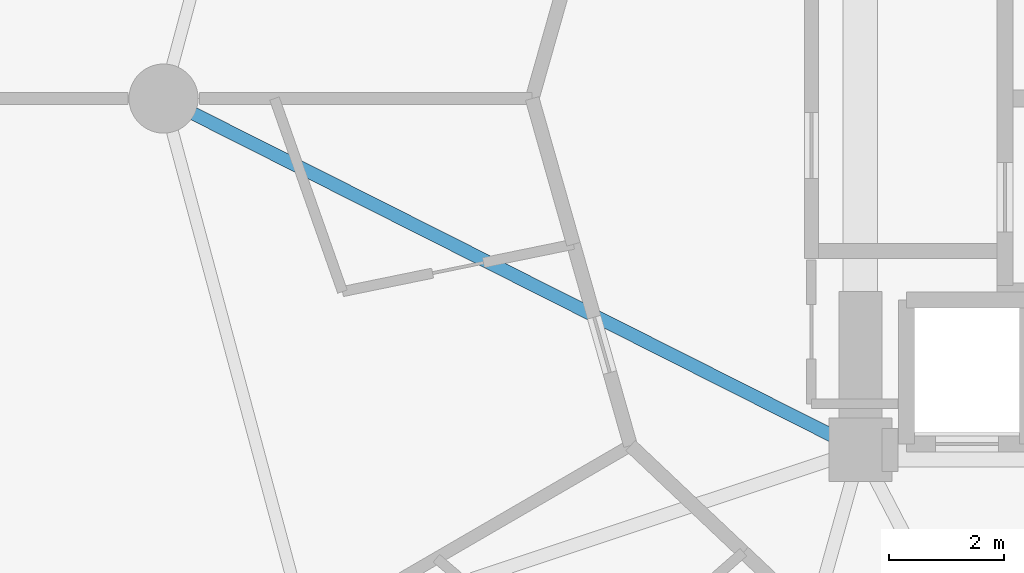
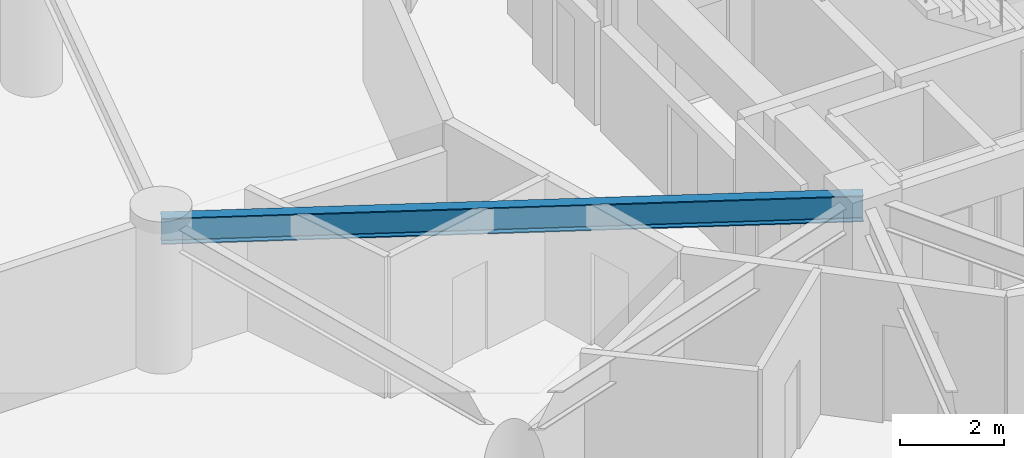
# One storey, part 5 of 23: 1 beam.
"""IFC4 building model written with IfcOpenShell, lengths in metres."""

from ifc_helpers import new_model, si_unit, direction, frame, origin, origin_2d, place, context, subcontext, project, spatial, i_section, extrude, material, material_profile, profile_set, type_object, element, save


model = new_model("IFC4")

# Units and contexts
model_context = context("Model", 3, precision=1e-05, world=origin(), true_north=direction((0.0, 1.0)))
body_context = subcontext(model_context, "Body", "Model", "MODEL_VIEW")
ifc_project = project(units=[si_unit("LENGTHUNIT", "METRE"), si_unit("AREAUNIT", "SQUARE_METRE"), si_unit("VOLUMEUNIT", "CUBIC_METRE"), si_unit("PLANEANGLEUNIT", "RADIAN"), si_unit("MASSUNIT", "GRAM", prefix="KILO")], contexts=[model_context])

# Site, building, storey
site_placement = place(None, origin())
site = spatial("IfcSite", under=ifc_project, at=site_placement, CompositionType="ELEMENT")
building_placement = place(site_placement, origin())
building = spatial("IfcBuilding", under=site, at=building_placement, Name="Solvirekh Grand Hotel", CompositionType="ELEMENT")
storey_placement = place(building_placement, frame((0.0, 0.0, 39.199951171875)))
storey = spatial("IfcBuildingStorey", under=building, at=storey_placement, Name="L08", CompositionType="ELEMENT", Elevation=39.199951171875)

# Beam
ifc_material = material(Name="Steel S355", Category="steel")
ifc_material_profile = material_profile(ifc_material, i_section(OverallWidth=0.22998046875, OverallDepth=0.615966796875, WebThickness=0.013916015625, FlangeThickness=0.02392578125, FilletRadius=0.014892578125, at=origin_2d()), Name="W610X174")
ifc_profile_set = profile_set([ifc_material_profile], Name="Steel S355")
beam_type = type_object("IfcBeamType", Name="Beam_Primary_W610H", PredefinedType="BEAM", material=ifc_profile_set)
beam_placement = place(storey_placement, frame((-6.5, -6.10009765625, 3.031982421875), z_axis=(-0.892944939011, 0.450165898191, 0.0), x_axis=(-0.450165898191, -0.892944939011, 0.0)))
element("IfcBeam", 1, at=beam_placement, inside=storey, type_object=beam_type, Name="L08 radial floor beam R07", PredefinedType="BEAM", context=body_context, shape_type="SweptSolid", body=[
    extrude(i_section(OverallWidth=0.22998046875, OverallDepth=0.615966796875, WebThickness=0.013916015625, FlangeThickness=0.02392578125, FilletRadius=0.014892578125, at=origin_2d()), origin(), (0.0, 0.0, 1.0), 13.55078125),
])

save(model, "model.ifc")
